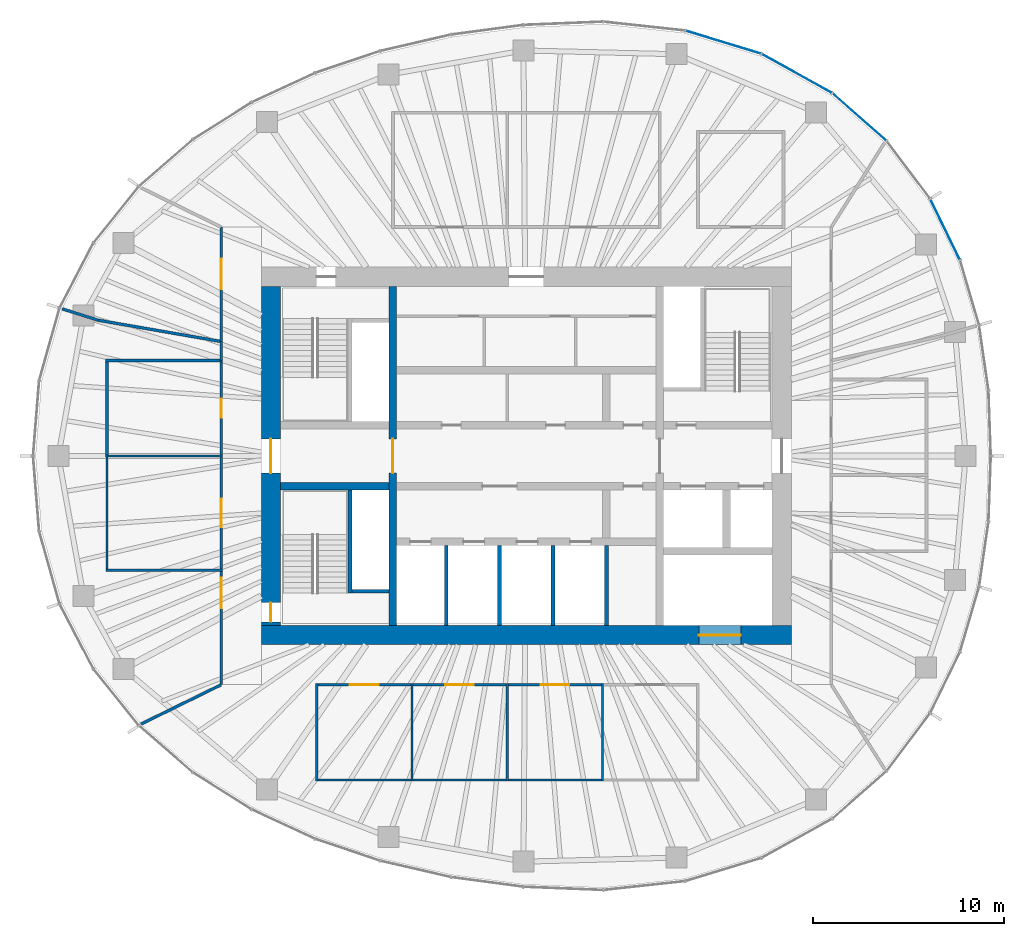
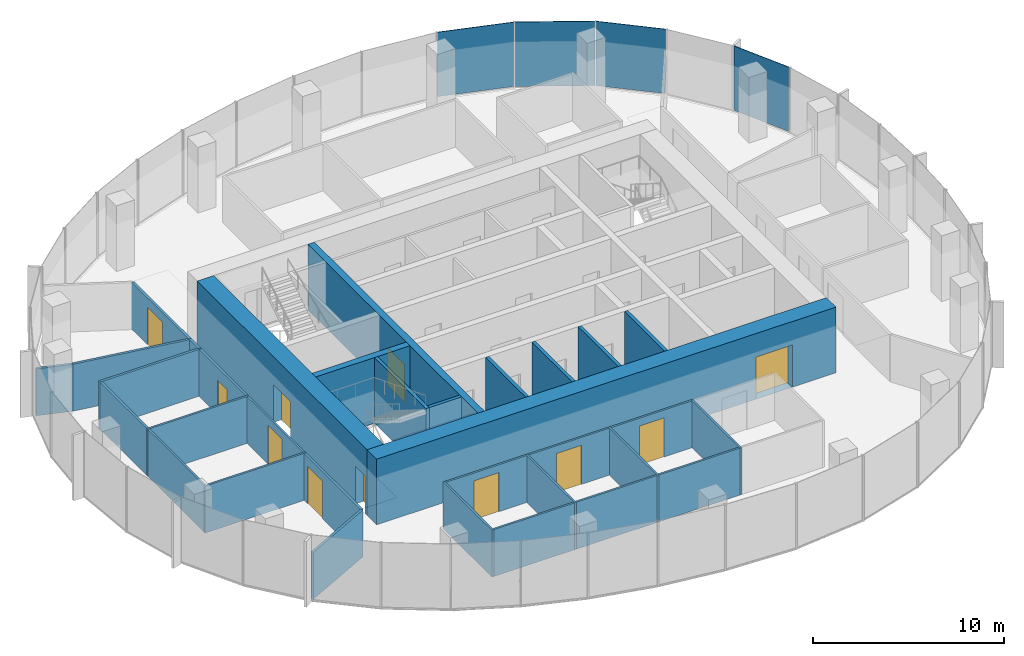
# One storey, part 8 of 11: 33 walls, 11 doors, 4 plates, 11 openings, 3 elements without a shape of their own.
"""IFC4 building model written with IfcOpenShell, lengths in metres."""

from ifc_helpers import new_model, si_unit, direction, frame, frame_2d, origin, origin_2d, place, context, subcontext, project, spatial, rectangle, extrude, material, layer, layer_set, type_object, element, fill, aggregate, save


model = new_model("IFC4")

# Units and contexts
model_context = context("Model", 3, precision=1e-05, world=origin(), true_north=direction((0.0, 1.0)))
body_context = subcontext(model_context, "Body", "Model", "MODEL_VIEW")
ifc_project = project(units=[si_unit("LENGTHUNIT", "METRE"), si_unit("AREAUNIT", "SQUARE_METRE"), si_unit("VOLUMEUNIT", "CUBIC_METRE"), si_unit("PLANEANGLEUNIT", "RADIAN"), si_unit("MASSUNIT", "GRAM", prefix="KILO")], contexts=[model_context])

# Site, building, storey
site_placement = place(None, origin())
site = spatial("IfcSite", under=ifc_project, at=site_placement, CompositionType="ELEMENT")
building_placement = place(site_placement, origin())
building = spatial("IfcBuilding", under=site, at=building_placement, Name="Ghaith Harvest Tower", CompositionType="ELEMENT")
storey_placement = place(building_placement, frame((0.0, 0.0, 292.199951171875)))
storey = spatial("IfcBuildingStorey", under=building, at=storey_placement, Name="L65", CompositionType="ELEMENT", Elevation=292.199951171875)

# Curtain wall, plate
ifc_material_1 = material(Name="Black anodised aluminium and fritted glass", Category="aluminium")
curtain_wall_type = type_object("IfcCurtainWallType", Name="CW-T CURTAIN WALL", PredefinedType="NOTDEFINED", material=ifc_material_1)
curtain_wall_1_placement = place(storey_placement, origin())
curtain_wall_1 = element("IfcCurtainWall", 1, at=curtain_wall_1_placement, inside=storey, type_object=curtain_wall_type, Name="Curtain wall CW-T bay 02 L65", PredefinedType="NOTDEFINED")
ifc_material_2 = material(Name="Glass, dark solar-control fritted double glazed unit", Category="glass")
ifc_layer_1 = layer(ifc_material_2, 0.033935546875)
ifc_layer_set_1 = layer_set([ifc_layer_1], Name="CW-T VISION PANEL")
plate_type = type_object("IfcPlateType", Name="CW-T VISION PANEL", PredefinedType="CURTAIN_PANEL", material=ifc_layer_set_1)
plate_1_placement = place(storey_placement, frame((21.9716796875, 11.878662109375, 0.080078125), z_axis=(0.0, 0.0, 1.0), x_axis=(-0.437968365148, 0.898990384337, 0.0)))
plate_1 = element("IfcPlate", 2, at=plate_1_placement, type_object=plate_type, Name="CW-T glass unit 2 bay 02 L65", PredefinedType="CURTAIN_PANEL", context=body_context, shape_type="SweptSolid", body=[
    extrude(rectangle(XDim=3.49365234375, YDim=0.033935546875, at=origin_2d()), origin(), (0.0, 0.0, 1.0), 4.1201171875),
])
aggregate(curtain_wall_1, [plate_1])

curtain_wall_2_placement = place(storey_placement, origin())
curtain_wall_2 = element("IfcCurtainWall", 3, at=curtain_wall_2_placement, inside=storey, type_object=curtain_wall_type, Name="Curtain wall CW-T bay 03 L65", PredefinedType="NOTDEFINED")
plate_2_placement = place(storey_placement, frame((17.47509765625, 17.779541015625, 0.080078125), z_axis=(0.0, 0.0, 1.0), x_axis=(-0.751334532416, 0.659921525941, 0.0)))
plate_2 = element("IfcPlate", 4, at=plate_2_placement, type_object=plate_type, Name="CW-T glass unit 2 bay 03 L65", PredefinedType="CURTAIN_PANEL", context=body_context, shape_type="SweptSolid", body=[
    extrude(rectangle(XDim=3.7158203125, YDim=0.033935546875, at=origin_2d()), origin(), (0.0, 0.0, 1.0), 4.1201171875),
])
aggregate(curtain_wall_2, [plate_2])

# Curtain wall, plates
curtain_wall_3_placement = place(storey_placement, origin())
curtain_wall_3 = element("IfcCurtainWall", 5, at=curtain_wall_3_placement, inside=storey, type_object=curtain_wall_type, Name="Curtain wall CW-T bay 04 L65", PredefinedType="NOTDEFINED")
plate_3_placement = place(storey_placement, frame((14.19189453125, 20.06201171875, 0.080078125), z_axis=(0.0, 0.0, 1.0), x_axis=(-0.87456402291, 0.484910063653, 0.0)))
plate_3 = element("IfcPlate", 6, at=plate_3_placement, type_object=plate_type, Name="CW-T glass unit 1 bay 04 L65", PredefinedType="CURTAIN_PANEL", context=body_context, shape_type="SweptSolid", body=[
    extrude(rectangle(XDim=4.167724609375, YDim=0.033935546875, at=origin_2d()), origin(), (0.0, 0.0, 1.0), 4.1201171875),
])
plate_4_placement = place(storey_placement, frame((10.337158203125, 21.700439453125, 0.080078125), z_axis=(0.0, 0.0, 1.0), x_axis=(-0.956587736124, 0.291444511181, 0.0)))
plate_4 = element("IfcPlate", 7, at=plate_4_placement, type_object=plate_type, Name="CW-T glass unit 2 bay 04 L65", PredefinedType="CURTAIN_PANEL", context=body_context, shape_type="SweptSolid", body=[
    extrude(rectangle(XDim=4.095703125, YDim=0.033935546875, at=origin_2d()), origin(), (0.0, 0.0, 1.0), 4.1201171875),
])
aggregate(curtain_wall_3, [plate_3, plate_4])

# Wall, opening, door
ifc_material_3 = material(Name="Concrete C50/60", Category="concrete")
ifc_layer_2 = layer(ifc_material_3, 1.0)
ifc_layer_set_2 = layer_set([ifc_layer_2], Name="CORE WALL CW1000")
wall_type_1 = type_object("IfcWallType", Name="CORE WALL CW1000", PredefinedType="SHEAR", material=ifc_layer_set_2)
wall_1_placement = place(storey_placement, frame((-13.89990234375, -9.39990234375, 0.0), z_axis=(0.0, 0.0, 1.0), x_axis=(1.0, 0.0, 0.0)))
wall_1 = element("IfcWall", 8, at=wall_1_placement, inside=storey, type_object=wall_type_1, Name="Core wall S L65", PredefinedType="SHEAR", context=body_context, shape_type="SweptSolid", body=[
    extrude(rectangle(XDim=27.7998046875, YDim=1.0, at=frame_2d((13.89990234375, 0.0))), origin(), (0.0, 0.0, 1.0), 4.199951171875),
])
opening_1_placement = place(wall_1_placement, frame((22.949951171875, 0.0, 0.0)))
opening_1 = element("IfcOpeningElement", 9, at=opening_1_placement, cuts=wall_1, Name="Opening 65-023", PredefinedType="OPENING", context=body_context, shape_type="SweptSolid", body=[
    extrude(rectangle(XDim=2.199951171875, YDim=2.699951171875, at=frame_2d((1.10009765625, 1.35009765625))), frame((0.0, 0.510009765625, 0.0), z_axis=(0.0, -1.0, 0.0), x_axis=(1.0, 0.0, 0.0)), (0.0, 0.0, 1.0), 1.02001953125),
])
ifc_material_4 = material(Name="Steel fire door", Category="steel")
door_type_1 = type_object("IfcDoorType", Name="LD3 LANDING 2200x2700", OperationType="DOUBLE_DOOR_SLIDING", PredefinedType="DOOR", material=ifc_material_4)
door_1_placement = place(opening_1_placement, origin())
door_1 = element("IfcDoor", 10, at=door_1_placement, inside=storey, type_object=door_type_1, Name="Landing door, goods lift GL1", OperationType="DOUBLE_DOOR_SLIDING", OverallHeight=2.699951171875, OverallWidth=2.199951171875, PredefinedType="DOOR", context=body_context, shape_type="SweptSolid", body=[
    extrude(rectangle(XDim=2.199951171875, YDim=2.699951171875, at=frame_2d((1.10009765625, 1.35009765625))), frame((0.0, 0.02490234375, 0.0), z_axis=(0.0, -1.0, 0.0), x_axis=(1.0, 0.0, 0.0)), (0.0, 0.0, 1.0), 0.050048828125),
])
fill(opening_1, door_1)

# Wall, openings, doors
wall_2_placement = place(storey_placement, frame((-13.39990234375, 8.89990234375, 0.0), z_axis=(0.0, 0.0, 1.0), x_axis=(0.0, -1.0, 0.0)))
wall_2 = element("IfcWall", 11, at=wall_2_placement, inside=storey, type_object=wall_type_1, Name="Core wall W L65", PredefinedType="SHEAR", context=body_context, shape_type="SweptSolid", body=[
    extrude(rectangle(XDim=17.7998046875, YDim=1.0, at=frame_2d((8.89990234375, 0.0))), origin(), (0.0, 0.0, 1.0), 4.199951171875),
])
opening_2_placement = place(wall_2_placement, frame((8.0, 0.0, 0.0)))
opening_2 = element("IfcOpeningElement", 12, at=opening_2_placement, cuts=wall_2, Name="Opening 65-001", PredefinedType="OPENING", context=body_context, shape_type="SweptSolid", body=[
    extrude(rectangle(XDim=1.800048828125, YDim=2.39990234375, at=frame_2d((0.89990234375, 1.199951171875))), frame((0.0, 0.510009765625, 0.0), z_axis=(0.0, -1.0, 0.0), x_axis=(1.0, 0.0, 0.0)), (0.0, 0.0, 1.0), 1.02001953125),
])
opening_3_placement = place(wall_2_placement, frame((16.60009765625, 0.0, 0.0)))
opening_3 = element("IfcOpeningElement", 13, at=opening_3_placement, cuts=wall_2, Name="Opening 65-006", PredefinedType="OPENING", context=body_context, shape_type="SweptSolid", body=[
    extrude(rectangle(XDim=1.0, YDim=2.39990234375, at=frame_2d((0.5, 1.199951171875))), frame((0.0, 0.510009765625, 0.0), z_axis=(0.0, -1.0, 0.0), x_axis=(1.0, 0.0, 0.0)), (0.0, 0.0, 1.0), 1.02001953125),
])
ifc_material_5 = material(Name="Steel fire door", Category="steel")
door_type_2 = type_object("IfcDoorType", Name="D3 FD90 1000x2400", OperationType="SINGLE_SWING_LEFT", PredefinedType="DOOR", material=ifc_material_5)
door_2_placement = place(opening_3_placement, origin())
door_2 = element("IfcDoor", 14, at=door_2_placement, inside=storey, type_object=door_type_2, Name="Stair ST3 door", OperationType="SINGLE_SWING_RIGHT", OverallHeight=2.39990234375, OverallWidth=1.0, PredefinedType="DOOR", context=body_context, shape_type="SweptSolid", body=[
    extrude(rectangle(XDim=1.0, YDim=2.39990234375, at=frame_2d((0.5, 1.199951171875))), frame((0.0, 0.02490234375, 0.0), z_axis=(0.0, -1.0, 0.0), x_axis=(1.0, 0.0, 0.0)), (0.0, 0.0, 1.0), 0.050048828125),
])
fill(opening_3, door_2)
ifc_material_6 = material(Name="Steel fire door", Category="steel")
door_type_3 = type_object("IfcDoorType", Name="D4 FD90 PAIR 1800x2400", OperationType="DOUBLE_DOOR_SINGLE_SWING", PredefinedType="DOOR", material=ifc_material_6)
door_3_placement = place(opening_2_placement, origin())
door_3 = element("IfcDoor", 15, at=door_3_placement, inside=storey, type_object=door_type_3, Name="West lobby doors", OperationType="DOUBLE_DOOR_SINGLE_SWING", OverallHeight=2.39990234375, OverallWidth=1.800048828125, PredefinedType="DOOR", context=body_context, shape_type="SweptSolid", body=[
    extrude(rectangle(XDim=1.800048828125, YDim=2.39990234375, at=frame_2d((0.89990234375, 1.199951171875))), frame((0.0, 0.02490234375, 0.0), z_axis=(0.0, -1.0, 0.0), x_axis=(1.0, 0.0, 0.0)), (0.0, 0.0, 1.0), 0.050048828125),
])
fill(opening_2, door_3)

# Walls
ifc_material_7 = material(Name="Insulated food-grade panel", Category="steel")
ifc_layer_3 = layer(ifc_material_7, 0.1201171875)
ifc_layer_set_3 = layer_set([ifc_layer_3], Name="INSULATED PANEL WALL 120")
wall_type_2 = type_object("IfcWallType", Name="INSULATED PANEL WALL 120", PredefinedType="PARTITIONING", material=ifc_layer_set_3)
for number, where, z_axis, x_axis, name in (
    (16, (-11.0, -11.93994140625, 0.0), (0.0, 0.0, 1.0), (0.0, -1.0, 0.0), "Partition L65 row S1 cross wall 1"),
    (17, (-6.0, -11.93994140625, 0.0), (0.0, 0.0, 1.0), (0.0, -1.0, 0.0), "Partition L65 row S1 cross wall 2"),
    (18, (-1.0, -11.93994140625, 0.0), (0.0, 0.0, 1.0), (0.0, -1.0, 0.0), "Partition L65 row S1 cross wall 3"),
    (19, (4.0, -11.93994140625, 0.0), (0.0, 0.0, 1.0), (0.0, -1.0, 0.0), "Partition L65 row S1 cross wall 4"),
):
    element("IfcWall", number, at=place(storey_placement, frame(where, z_axis=z_axis, x_axis=x_axis)), inside=storey, type_object=wall_type_2, Name=name, PredefinedType="PARTITIONING", context=body_context, shape_type="SweptSolid", body=[
        extrude(rectangle(XDim=5.1201171875, YDim=0.1201171875, at=frame_2d((2.56005859375, 0.0))), origin(), (0.0, 0.0, 1.0), 3.0),
    ])

# Wall, opening, door
wall_3_placement = place(storey_placement, frame((-10.93994140625, -12.0, 0.0), z_axis=(0.0, 0.0, 1.0), x_axis=(1.0, 0.0, 0.0)))
wall_3 = element("IfcWall", 20, at=wall_3_placement, inside=storey, type_object=wall_type_2, Name="Partition L65-01", PredefinedType="PARTITIONING", context=body_context, shape_type="SweptSolid", body=[
    extrude(rectangle(XDim=4.8798828125, YDim=0.1201171875, at=frame_2d((2.43994140625, 0.0))), origin(), (0.0, 0.0, 1.0), 3.0),
])
opening_4_placement = place(wall_3_placement, frame((1.68994140625, 0.0, 0.0)))
opening_4 = element("IfcOpeningElement", 21, at=opening_4_placement, cuts=wall_3, Name="Opening 65-024", PredefinedType="OPENING", context=body_context, shape_type="SweptSolid", body=[
    extrude(rectangle(XDim=1.5, YDim=2.5, at=frame_2d((0.75, 1.25))), frame((0.0, 0.070068359375, 0.0), z_axis=(0.0, -1.0, 0.0), x_axis=(1.0, 0.0, 0.0)), (0.0, 0.0, 1.0), 0.14013671875),
])
ifc_material_8 = material(Name="Insulated steel sliding door", Category="steel")
door_type_4 = type_object("IfcDoorType", Name="D13 COLD STORE SLIDING 1500x2500", OperationType="SLIDING_TO_LEFT", PredefinedType="DOOR", material=ifc_material_8)
door_4_placement = place(opening_4_placement, origin())
door_4 = element("IfcDoor", 22, at=door_4_placement, inside=storey, type_object=door_type_4, Name="Mushroom growing room door", OperationType="SLIDING_TO_LEFT", OverallHeight=2.5, OverallWidth=1.5, PredefinedType="DOOR", context=body_context, shape_type="SweptSolid", body=[
    extrude(rectangle(XDim=1.5, YDim=2.5, at=frame_2d((0.75, 1.25))), frame((0.0, 0.02490234375, 0.0), z_axis=(0.0, -1.0, 0.0), x_axis=(1.0, 0.0, 0.0)), (0.0, 0.0, 1.0), 0.050048828125),
])
fill(opening_4, door_4)

# Wall
wall_4_placement = place(storey_placement, frame((-10.93994140625, -17.0, 0.0), z_axis=(0.0, 0.0, 1.0), x_axis=(1.0, 0.0, 0.0)))
element("IfcWall", 23, at=wall_4_placement, inside=storey, type_object=wall_type_2, Name="Partition L65-01", PredefinedType="PARTITIONING", context=body_context, shape_type="SweptSolid", body=[
    extrude(rectangle(XDim=4.8798828125, YDim=0.1201171875, at=frame_2d((2.43994140625, 0.0))), origin(), (0.0, 0.0, 1.0), 3.0),
])

# Wall, opening, door
wall_5_placement = place(storey_placement, frame((-5.93994140625, -12.0, 0.0), z_axis=(0.0, 0.0, 1.0), x_axis=(1.0, 0.0, 0.0)))
wall_5 = element("IfcWall", 24, at=wall_5_placement, inside=storey, type_object=wall_type_2, Name="Partition L65-02", PredefinedType="PARTITIONING", context=body_context, shape_type="SweptSolid", body=[
    extrude(rectangle(XDim=4.8798828125, YDim=0.1201171875, at=frame_2d((2.43994140625, 0.0))), origin(), (0.0, 0.0, 1.0), 3.0),
])
opening_5_placement = place(wall_5_placement, frame((1.68994140625, 0.0, 0.0)))
opening_5 = element("IfcOpeningElement", 25, at=opening_5_placement, cuts=wall_5, Name="Opening 65-025", PredefinedType="OPENING", context=body_context, shape_type="SweptSolid", body=[
    extrude(rectangle(XDim=1.5, YDim=2.5, at=frame_2d((0.75, 1.25))), frame((0.0, 0.070068359375, 0.0), z_axis=(0.0, -1.0, 0.0), x_axis=(1.0, 0.0, 0.0)), (0.0, 0.0, 1.0), 0.14013671875),
])
door_5_placement = place(opening_5_placement, origin())
door_5 = element("IfcDoor", 26, at=door_5_placement, inside=storey, type_object=door_type_4, Name="Mushroom growing room door", OperationType="SLIDING_TO_LEFT", OverallHeight=2.5, OverallWidth=1.5, PredefinedType="DOOR", context=body_context, shape_type="SweptSolid", body=[
    extrude(rectangle(XDim=1.5, YDim=2.5, at=frame_2d((0.75, 1.25))), frame((0.0, 0.02490234375, 0.0), z_axis=(0.0, -1.0, 0.0), x_axis=(1.0, 0.0, 0.0)), (0.0, 0.0, 1.0), 0.050048828125),
])
fill(opening_5, door_5)

# Wall
wall_6_placement = place(storey_placement, frame((-5.93994140625, -17.0, 0.0), z_axis=(0.0, 0.0, 1.0), x_axis=(1.0, 0.0, 0.0)))
element("IfcWall", 27, at=wall_6_placement, inside=storey, type_object=wall_type_2, Name="Partition L65-02", PredefinedType="PARTITIONING", context=body_context, shape_type="SweptSolid", body=[
    extrude(rectangle(XDim=4.8798828125, YDim=0.1201171875, at=frame_2d((2.43994140625, 0.0))), origin(), (0.0, 0.0, 1.0), 3.0),
])

# Wall, opening, door
wall_7_placement = place(storey_placement, frame((-0.93994140625, -12.0, 0.0), z_axis=(0.0, 0.0, 1.0), x_axis=(1.0, 0.0, 0.0)))
wall_7 = element("IfcWall", 28, at=wall_7_placement, inside=storey, type_object=wall_type_2, Name="Partition L65-03", PredefinedType="PARTITIONING", context=body_context, shape_type="SweptSolid", body=[
    extrude(rectangle(XDim=4.8798828125, YDim=0.1201171875, at=frame_2d((2.43994140625, 0.0))), origin(), (0.0, 0.0, 1.0), 3.0),
])
opening_6_placement = place(wall_7_placement, frame((1.68994140625, 0.0, 0.0)))
opening_6 = element("IfcOpeningElement", 29, at=opening_6_placement, cuts=wall_7, Name="Opening 65-026", PredefinedType="OPENING", context=body_context, shape_type="SweptSolid", body=[
    extrude(rectangle(XDim=1.5, YDim=2.5, at=frame_2d((0.75, 1.25))), frame((0.0, 0.070068359375, 0.0), z_axis=(0.0, -1.0, 0.0), x_axis=(1.0, 0.0, 0.0)), (0.0, 0.0, 1.0), 0.14013671875),
])
door_6_placement = place(opening_6_placement, origin())
door_6 = element("IfcDoor", 30, at=door_6_placement, inside=storey, type_object=door_type_4, Name="Mushroom growing room door", OperationType="SLIDING_TO_LEFT", OverallHeight=2.5, OverallWidth=1.5, PredefinedType="DOOR", context=body_context, shape_type="SweptSolid", body=[
    extrude(rectangle(XDim=1.5, YDim=2.5, at=frame_2d((0.75, 1.25))), frame((0.0, 0.02490234375, 0.0), z_axis=(0.0, -1.0, 0.0), x_axis=(1.0, 0.0, 0.0)), (0.0, 0.0, 1.0), 0.050048828125),
])
fill(opening_6, door_6)

# Walls
wall_8_placement = place(storey_placement, frame((-0.93994140625, -17.0, 0.0), z_axis=(0.0, 0.0, 1.0), x_axis=(1.0, 0.0, 0.0)))
element("IfcWall", 31, at=wall_8_placement, inside=storey, type_object=wall_type_2, Name="Partition L65-03", PredefinedType="PARTITIONING", context=body_context, shape_type="SweptSolid", body=[
    extrude(rectangle(XDim=4.8798828125, YDim=0.1201171875, at=frame_2d((2.43994140625, 0.0))), origin(), (0.0, 0.0, 1.0), 3.0),
])
wall_9_placement = place(storey_placement, frame((-15.93994140625, -6.0, 0.0), z_axis=(0.0, 0.0, 1.0), x_axis=(-1.0, 0.0, 0.0)))
element("IfcWall", 32, at=wall_9_placement, inside=storey, type_object=wall_type_2, Name="Partition L65 row W2 cross wall 1", PredefinedType="PARTITIONING", context=body_context, shape_type="SweptSolid", body=[
    extrude(rectangle(XDim=6.1201171875, YDim=0.1201171875, at=frame_2d((3.06005859375, 0.0))), origin(), (0.0, 0.0, 1.0), 3.0),
])
wall_10_placement = place(storey_placement, frame((-15.925048828125, 0.0, 0.0), z_axis=(0.0, 0.0, 1.0), x_axis=(-1.0, 0.0, 0.0)))
element("IfcWall", 33, at=wall_10_placement, inside=storey, type_object=wall_type_2, Name="Partition L65 row W2 cross wall 2", PredefinedType="PARTITIONING", context=body_context, shape_type="SweptSolid", body=[
    extrude(rectangle(XDim=6.14990234375, YDim=0.1201171875, at=frame_2d((3.074951171875, 0.0))), origin(), (0.0, 0.0, 1.0), 3.0),
])

# Wall, opening, door
wall_11_placement = place(storey_placement, frame((-16.0, -5.93994140625, 0.0), z_axis=(0.0, 0.0, 1.0), x_axis=(0.0, 1.0, 0.0)))
wall_11 = element("IfcWall", 34, at=wall_11_placement, inside=storey, type_object=wall_type_2, Name="Partition L65-05", PredefinedType="PARTITIONING", context=body_context, shape_type="SweptSolid", body=[
    extrude(rectangle(XDim=5.8798828125, YDim=0.1201171875, at=frame_2d((2.93994140625, 0.0))), origin(), (0.0, 0.0, 1.0), 3.0),
])
opening_7_placement = place(wall_11_placement, frame((2.18994140625, 0.0, 0.0)))
opening_7 = element("IfcOpeningElement", 35, at=opening_7_placement, cuts=wall_11, Name="Opening 65-028", PredefinedType="OPENING", context=body_context, shape_type="SweptSolid", body=[
    extrude(rectangle(XDim=1.5, YDim=2.5, at=frame_2d((0.75, 1.25))), frame((0.0, 0.070068359375, 0.0), z_axis=(0.0, -1.0, 0.0), x_axis=(1.0, 0.0, 0.0)), (0.0, 0.0, 1.0), 0.14013671875),
])
door_7_placement = place(opening_7_placement, origin())
door_7 = element("IfcDoor", 36, at=door_7_placement, inside=storey, type_object=door_type_4, Name="Spawn room door", OperationType="SLIDING_TO_LEFT", OverallHeight=2.5, OverallWidth=1.5, PredefinedType="DOOR", context=body_context, shape_type="SweptSolid", body=[
    extrude(rectangle(XDim=1.5, YDim=2.5, at=frame_2d((0.75, 1.25))), frame((0.0, 0.02490234375, 0.0), z_axis=(0.0, -1.0, 0.0), x_axis=(1.0, 0.0, 0.0)), (0.0, 0.0, 1.0), 0.050048828125),
])
fill(opening_7, door_7)

# Walls
wall_12_placement = place(storey_placement, frame((-22.0, -5.93994140625, 0.0), z_axis=(0.0, 0.0, 1.0), x_axis=(0.0, 1.0, 0.0)))
element("IfcWall", 37, at=wall_12_placement, inside=storey, type_object=wall_type_2, Name="Partition L65-05", PredefinedType="PARTITIONING", context=body_context, shape_type="SweptSolid", body=[
    extrude(rectangle(XDim=5.8798828125, YDim=0.1201171875, at=frame_2d((2.93994140625, 0.0))), origin(), (0.0, 0.0, 1.0), 3.0),
])
ifc_material_9 = material(Name="Concrete blockwork, 2-hour", Category="masonry")
ifc_layer_4 = layer(ifc_material_9, 0.199951171875)
ifc_layer_set_4 = layer_set([ifc_layer_4], Name="LIFT SHAFT WALL 200")
wall_type_3 = type_object("IfcWallType", Name="LIFT SHAFT WALL 200", PredefinedType="PARTITIONING", material=ifc_layer_set_4)
for number, where, z_axis, x_axis, name in (
    (38, (-4.199951171875, -4.699951171875, 0.0), (0.0, 0.0, 1.0), (0.0, -1.0, 0.0), "Lift shaft wall L65"),
    (39, (-1.39990234375, -4.699951171875, 0.0), (0.0, 0.0, 1.0), (0.0, -1.0, 0.0), "Lift shaft wall L65"),
    (40, (1.39990234375, -4.699951171875, 0.0), (0.0, 0.0, 1.0), (0.0, -1.0, 0.0), "Lift shaft wall L65"),
    (41, (4.199951171875, -4.699951171875, 0.0), (0.0, 0.0, 1.0), (0.0, -1.0, 0.0), "Lift shaft wall L65"),
):
    element("IfcWall", number, at=place(storey_placement, frame(where, z_axis=z_axis, x_axis=x_axis)), inside=storey, type_object=wall_type_3, Name=name, PredefinedType="PARTITIONING", context=body_context, shape_type="SweptSolid", body=[
        extrude(rectangle(XDim=4.199951171875, YDim=0.199951171875, at=frame_2d((2.10009765625, 0.0))), origin(), (0.0, 0.0, 1.0), 4.199951171875),
    ])
ifc_material_10 = material(Name="Gypsum board on steel studs", Category="steel")
ifc_layer_5 = layer(ifc_material_10, 0.14990234375)
ifc_layer_set_5 = layer_set([ifc_layer_5], Name="PARTITION 150")
wall_type_4 = type_object("IfcWallType", Name="PARTITION 150", PredefinedType="PARTITIONING", material=ifc_layer_set_5)
wall_13_placement = place(storey_placement, frame((-15.925048828125, 5.0, 0.0), z_axis=(0.0, 0.0, 1.0), x_axis=(-1.0, 0.0, 0.0)))
element("IfcWall", 42, at=wall_13_placement, inside=storey, type_object=wall_type_4, Name="Partition L65 row W2 cross wall 3", PredefinedType="PARTITIONING", context=body_context, shape_type="SweptSolid", body=[
    extrude(rectangle(XDim=6.14990234375, YDim=0.14990234375, at=frame_2d((3.074951171875, 0.0))), origin(), (0.0, 0.0, 1.0), 3.0),
])

# Wall, opening, door
wall_14_placement = place(storey_placement, frame((-16.0, 0.06005859375, 0.0), z_axis=(0.0, 0.0, 1.0), x_axis=(0.0, 1.0, 0.0)))
wall_14 = element("IfcWall", 43, at=wall_14_placement, inside=storey, type_object=wall_type_4, Name="Partition L65-06", PredefinedType="PARTITIONING", context=body_context, shape_type="SweptSolid", body=[
    extrude(rectangle(XDim=4.864990234375, YDim=0.14990234375, at=frame_2d((2.4326171875, 0.0))), origin(), (0.0, 0.0, 1.0), 3.0),
])
opening_8_placement = place(wall_14_placement, frame((1.9326171875, 0.0, 0.0)))
opening_8 = element("IfcOpeningElement", 44, at=opening_8_placement, cuts=wall_14, Name="Opening 65-029", PredefinedType="OPENING", context=body_context, shape_type="SweptSolid", body=[
    extrude(rectangle(XDim=1.0, YDim=2.199951171875, at=frame_2d((0.5, 1.10009765625))), frame((0.0, 0.0849609375, 0.0), z_axis=(0.0, -1.0, 0.0), x_axis=(1.0, 0.0, 0.0)), (0.0, 0.0, 1.0), 0.169921875),
])
ifc_material_11 = material(Name="Timber door", Category="wood")
door_type_5 = type_object("IfcDoorType", Name="D1 SINGLE 1000x2200", OperationType="SINGLE_SWING_LEFT", PredefinedType="DOOR", material=ifc_material_11)
door_8_placement = place(opening_8_placement, origin())
door_8 = element("IfcDoor", 45, at=door_8_placement, inside=storey, type_object=door_type_5, Name="Substrate preparation room door", OperationType="SINGLE_SWING_LEFT", OverallHeight=2.199951171875, OverallWidth=1.0, PredefinedType="DOOR", context=body_context, shape_type="SweptSolid", body=[
    extrude(rectangle(XDim=1.0, YDim=2.199951171875, at=frame_2d((0.5, 1.10009765625))), frame((0.0, 0.02490234375, 0.0), z_axis=(0.0, -1.0, 0.0), x_axis=(1.0, 0.0, 0.0)), (0.0, 0.0, 1.0), 0.050048828125),
])
fill(opening_8, door_8)

# Walls
wall_15_placement = place(storey_placement, frame((-22.0, 0.06005859375, 0.0), z_axis=(0.0, 0.0, 1.0), x_axis=(0.0, 1.0, 0.0)))
element("IfcWall", 46, at=wall_15_placement, inside=storey, type_object=wall_type_4, Name="Partition L65-06", PredefinedType="PARTITIONING", context=body_context, shape_type="SweptSolid", body=[
    extrude(rectangle(XDim=4.864990234375, YDim=0.14990234375, at=frame_2d((2.4326171875, 0.0))), origin(), (0.0, 0.0, 1.0), 3.0),
])
wall_16_placement = place(storey_placement, frame((-16.017822265625, -12.0087890625, 0.0), z_axis=(0.0, 0.0, 1.0), x_axis=(-0.897771840996, -0.440460805879, 0.0)))
element("IfcWall", 47, at=wall_16_placement, inside=storey, type_object=wall_type_4, Name="Partition L65 zone division", PredefinedType="PARTITIONING", context=body_context, shape_type="SweptSolid", body=[
    extrude(rectangle(XDim=4.66552734375, YDim=0.14990234375, at=frame_2d((2.332763671875, 0.0))), origin(), (0.0, 0.0, 1.0), 3.0),
])
wall_17_placement = place(storey_placement, frame((-16.02001953125, 6.00341796875, 0.0), z_axis=(0.0, 0.0, 1.0), x_axis=(-0.985343022818, 0.170584663391, 0.0)))
element("IfcWall", 48, at=wall_17_placement, inside=storey, type_object=wall_type_4, Name="Partition L65 zone division", PredefinedType="PARTITIONING", context=body_context, shape_type="SweptSolid", body=[
    extrude(rectangle(XDim=6.53759765625, YDim=0.14990234375, at=frame_2d((3.268798828125, 0.0))), origin(), (0.0, 0.0, 1.0), 3.0),
])
wall_18_placement = place(storey_placement, frame((-22.4619140625, 7.11865234375, 0.0), z_axis=(0.0, 0.0, 1.0), x_axis=(-0.953265294411, 0.302134537038, 0.0)))
element("IfcWall", 49, at=wall_18_placement, inside=storey, type_object=wall_type_4, Name="Partition L65 zone division", PredefinedType="PARTITIONING", context=body_context, shape_type="SweptSolid", body=[
    extrude(rectangle(XDim=1.979736328125, YDim=0.14990234375, at=frame_2d((0.98974609375, 0.0))), origin(), (0.0, 0.0, 1.0), 3.0),
])

# Wall, opening, door
wall_19_placement = place(storey_placement, frame((-16.0, -6.0, 0.0), z_axis=(0.0, 0.0, 1.0), x_axis=(0.0, -1.0, 0.0)))
wall_19 = element("IfcWall", 50, at=wall_19_placement, inside=storey, type_object=wall_type_4, Name="Partition L65 zone enclosure", PredefinedType="PARTITIONING", context=body_context, shape_type="SweptSolid", body=[
    extrude(rectangle(XDim=6.0, YDim=0.14990234375, at=frame_2d((3.0, 0.0))), origin(), (0.0, 0.0, 1.0), 3.0),
])
opening_9_placement = place(wall_19_placement, frame((0.39990234375, 0.0, 0.0)))
opening_9 = element("IfcOpeningElement", 51, at=opening_9_placement, cuts=wall_19, Name="Opening 65-037", PredefinedType="OPENING", context=body_context, shape_type="SweptSolid", body=[
    extrude(rectangle(XDim=1.60009765625, YDim=2.39990234375, at=frame_2d((0.800048828125, 1.199951171875))), frame((0.0, 0.0849609375, 0.0), z_axis=(0.0, -1.0, 0.0), x_axis=(1.0, 0.0, 0.0)), (0.0, 0.0, 1.0), 0.169921875),
])
ifc_material_12 = material(Name="Timber door", Category="wood")
door_type_6 = type_object("IfcDoorType", Name="D2 PAIR 1600x2400", OperationType="DOUBLE_DOOR_SINGLE_SWING", PredefinedType="DOOR", material=ifc_material_12)
door_9_placement = place(opening_9_placement, origin())
door_9 = element("IfcDoor", 52, at=door_9_placement, inside=storey, type_object=door_type_6, Name="Specialty growing area west 1 door", OperationType="DOUBLE_DOOR_SINGLE_SWING", OverallHeight=2.39990234375, OverallWidth=1.60009765625, PredefinedType="DOOR", context=body_context, shape_type="SweptSolid", body=[
    extrude(rectangle(XDim=1.60009765625, YDim=2.39990234375, at=frame_2d((0.800048828125, 1.199951171875))), frame((0.0, 0.02490234375, 0.0), z_axis=(0.0, -1.0, 0.0), x_axis=(1.0, 0.0, 0.0)), (0.0, 0.0, 1.0), 0.050048828125),
])
fill(opening_9, door_9)

# Wall
wall_20_placement = place(storey_placement, frame((-16.0, 6.0, 0.0), z_axis=(0.0, 0.0, 1.0), x_axis=(0.0, -1.0, 0.0)))
element("IfcWall", 53, at=wall_20_placement, inside=storey, type_object=wall_type_4, Name="Partition L65 zone enclosure", PredefinedType="PARTITIONING", context=body_context, shape_type="SweptSolid", body=[
    extrude(rectangle(XDim=1.0, YDim=0.14990234375, at=frame_2d((0.5, 0.0))), origin(), (0.0, 0.0, 1.0), 3.0),
])

# Wall, opening, door
wall_21_placement = place(storey_placement, frame((-16.0, 12.0, 0.0), z_axis=(0.0, 0.0, 1.0), x_axis=(0.0, -1.0, 0.0)))
wall_21 = element("IfcWall", 54, at=wall_21_placement, inside=storey, type_object=wall_type_4, Name="Partition L65 zone enclosure", PredefinedType="PARTITIONING", context=body_context, shape_type="SweptSolid", body=[
    extrude(rectangle(XDim=6.0, YDim=0.14990234375, at=frame_2d((3.0, 0.0))), origin(), (0.0, 0.0, 1.0), 3.0),
])
opening_10_placement = place(wall_21_placement, frame((1.64990234375, 0.0, 0.0)))
opening_10 = element("IfcOpeningElement", 55, at=opening_10_placement, cuts=wall_21, Name="Opening 65-038", PredefinedType="OPENING", context=body_context, shape_type="SweptSolid", body=[
    extrude(rectangle(XDim=1.60009765625, YDim=2.39990234375, at=frame_2d((0.800048828125, 1.199951171875))), frame((0.0, 0.0849609375, 0.0), z_axis=(0.0, -1.0, 0.0), x_axis=(1.0, 0.0, 0.0)), (0.0, 0.0, 1.0), 0.169921875),
])
door_10_placement = place(opening_10_placement, origin())
door_10 = element("IfcDoor", 56, at=door_10_placement, inside=storey, type_object=door_type_6, Name="Specialty growing area west 2 door", OperationType="DOUBLE_DOOR_SINGLE_SWING", OverallHeight=2.39990234375, OverallWidth=1.60009765625, PredefinedType="DOOR", context=body_context, shape_type="SweptSolid", body=[
    extrude(rectangle(XDim=1.60009765625, YDim=2.39990234375, at=frame_2d((0.800048828125, 1.199951171875))), frame((0.0, 0.02490234375, 0.0), z_axis=(0.0, -1.0, 0.0), x_axis=(1.0, 0.0, 0.0)), (0.0, 0.0, 1.0), 0.050048828125),
])
fill(opening_10, door_10)

ifc_material_13 = material(Name="Concrete C70/85", Category="concrete")
ifc_layer_6 = layer(ifc_material_13, 0.39990234375)
ifc_layer_set_6 = layer_set([ifc_layer_6], Name="SHAFT WALL 400")
wall_type_5 = type_object("IfcWallType", Name="SHAFT WALL 400", PredefinedType="SHEAR", material=ifc_layer_set_6)
wall_22_placement = place(storey_placement, frame((-7.0, -8.89990234375, 0.0), z_axis=(0.0, 0.0, 1.0), x_axis=(0.0, 1.0, 0.0)))
wall_22 = element("IfcWall", 57, at=wall_22_placement, inside=storey, type_object=wall_type_5, Name="Shaft wall W7W L65", PredefinedType="SHEAR", context=body_context, shape_type="SweptSolid", body=[
    extrude(rectangle(XDim=17.7998046875, YDim=0.39990234375, at=frame_2d((8.89990234375, 0.0))), origin(), (0.0, 0.0, 1.0), 4.199951171875),
])
opening_11_placement = place(wall_22_placement, frame((8.0, 0.0, 0.0)))
opening_11 = element("IfcOpeningElement", 58, at=opening_11_placement, cuts=wall_22, Name="Opening 65-003", PredefinedType="OPENING", context=body_context, shape_type="SweptSolid", body=[
    extrude(rectangle(XDim=1.800048828125, YDim=2.39990234375, at=frame_2d((0.89990234375, 1.199951171875))), frame((0.0, 0.2099609375, 0.0), z_axis=(0.0, -1.0, 0.0), x_axis=(1.0, 0.0, 0.0)), (0.0, 0.0, 1.0), 0.419921875),
])
door_11_placement = place(opening_11_placement, origin())
door_11 = element("IfcDoor", 59, at=door_11_placement, inside=storey, type_object=door_type_3, Name="Lift lobby doors, west", OperationType="DOUBLE_DOOR_SINGLE_SWING", OverallHeight=2.39990234375, OverallWidth=1.800048828125, PredefinedType="DOOR", context=body_context, shape_type="SweptSolid", body=[
    extrude(rectangle(XDim=1.800048828125, YDim=2.39990234375, at=frame_2d((0.89990234375, 1.199951171875))), frame((0.0, 0.02490234375, 0.0), z_axis=(0.0, -1.0, 0.0), x_axis=(1.0, 0.0, 0.0)), (0.0, 0.0, 1.0), 0.050048828125),
])
fill(opening_11, door_11)

# Walls
wall_23_placement = place(storey_placement, frame((-12.89990234375, -1.60009765625, 0.0), z_axis=(0.0, 0.0, 1.0), x_axis=(1.0, 0.0, 0.0)))
element("IfcWall", 60, at=wall_23_placement, inside=storey, type_object=wall_type_5, Name="Shaft wall WS L65", PredefinedType="SHEAR", context=body_context, shape_type="SweptSolid", body=[
    extrude(rectangle(XDim=5.699951171875, YDim=0.39990234375, at=frame_2d((2.85009765625, 0.0))), origin(), (0.0, 0.0, 1.0), 4.199951171875),
])
ifc_material_14 = material(Name="Concrete C40/50", Category="concrete")
ifc_layer_7 = layer(ifc_material_14, 0.199951171875)
ifc_layer_set_7 = layer_set([ifc_layer_7], Name="STAIR SPINE WALL RC200")
wall_type_6 = type_object("IfcWallType", Name="STAIR SPINE WALL RC200", PredefinedType="SOLIDWALL", material=ifc_layer_set_7)
wall_24_placement = place(storey_placement, frame((-9.25, -7.199951171875, 0.0), z_axis=(0.0, 0.0, 1.0), x_axis=(0.0, 1.0, 0.0)))
element("IfcWall", 61, at=wall_24_placement, inside=storey, type_object=wall_type_6, Name="Stair ST3 spine wall L65", PredefinedType="SOLIDWALL", context=body_context, shape_type="SweptSolid", body=[
    extrude(rectangle(XDim=5.39990234375, YDim=0.199951171875, at=frame_2d((2.699951171875, 0.0))), origin(), (0.0, 0.0, 1.0), 4.199951171875),
])
wall_25_placement = place(storey_placement, frame((-9.14990234375, -7.10009765625, 0.0), z_axis=(0.0, 0.0, 1.0), x_axis=(1.0, 0.0, 0.0)))
element("IfcWall", 62, at=wall_25_placement, inside=storey, type_object=wall_type_6, Name="Stair ST3 spine wall return L65", PredefinedType="SOLIDWALL", context=body_context, shape_type="SweptSolid", body=[
    extrude(rectangle(XDim=1.949951171875, YDim=0.199951171875, at=frame_2d((0.97509765625, 0.0))), origin(), (0.0, 0.0, 1.0), 4.199951171875),
])

save(model, "model.ifc")
